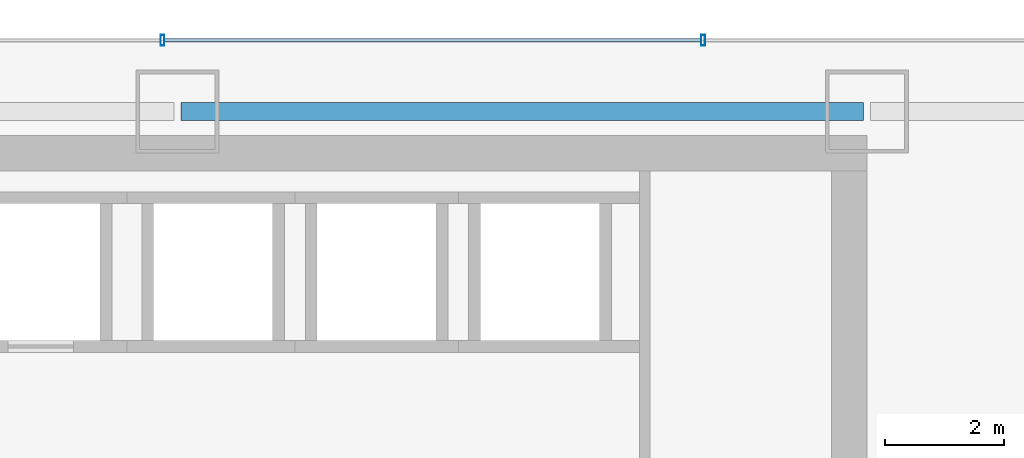
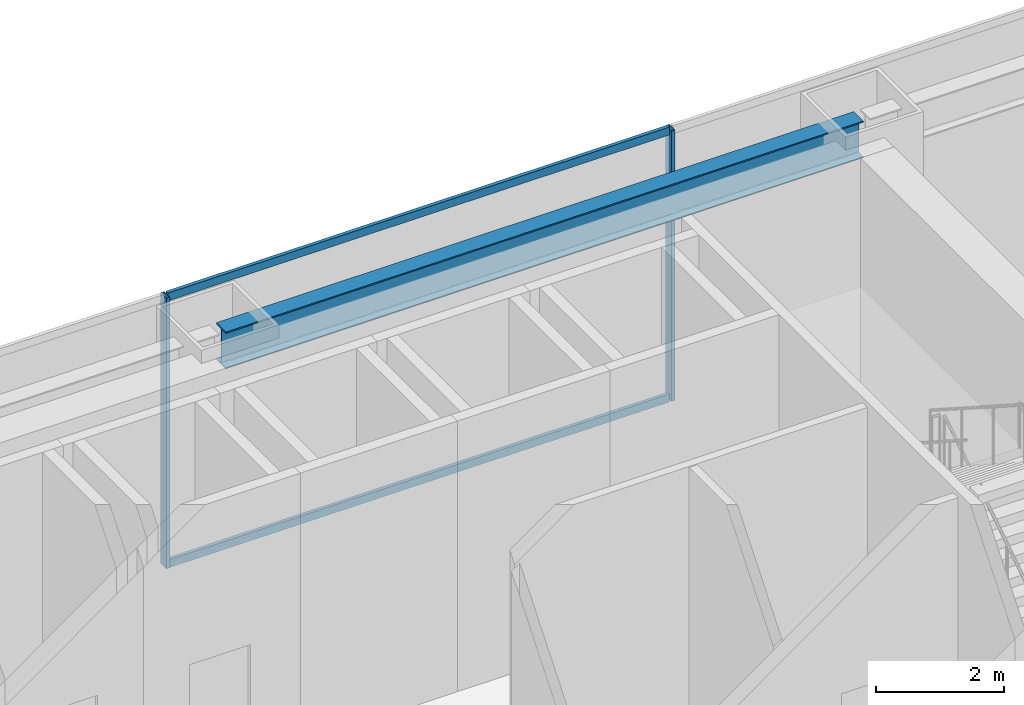
# One storey, part 18 of 29: 4 members, 1 beam, 1 element without a shape of its own.
"""IFC4 building model written with IfcOpenShell, lengths in metres."""

from ifc_helpers import new_model, si_unit, direction, frame, origin, origin_2d, place, context, subcontext, project, spatial, hollow_rectangle, i_section, extrude, material, material_profile, profile_set, type_object, element, aggregate, save


model = new_model("IFC4")

# Units and contexts
model_context = context("Model", 3, precision=1e-05, world=origin(), true_north=direction((0.0, 1.0)))
body_context = subcontext(model_context, "Body", "Model", "MODEL_VIEW")
ifc_project = project(units=[si_unit("LENGTHUNIT", "METRE"), si_unit("AREAUNIT", "SQUARE_METRE"), si_unit("VOLUMEUNIT", "CUBIC_METRE"), si_unit("PLANEANGLEUNIT", "RADIAN"), si_unit("MASSUNIT", "GRAM", prefix="KILO")], contexts=[model_context])

# Site, building, storey
site_placement = place(None, origin())
site = spatial("IfcSite", under=ifc_project, at=site_placement, CompositionType="ELEMENT")
building_placement = place(site_placement, origin())
building = spatial("IfcBuilding", under=site, at=building_placement, Name="Saevonmaru Cultural Tower", CompositionType="ELEMENT")
storey_placement = place(building_placement, frame((0.0, 0.0, 27.60009765625)))
storey = spatial("IfcBuildingStorey", under=building, at=storey_placement, Name="L05", CompositionType="ELEMENT", Elevation=27.60009765625)

# Beam
ifc_material_1 = material(Name="Steel SM355", Category="steel")
ifc_material_profile_1 = material_profile(ifc_material_1, i_section(OverallWidth=0.300048828125, OverallDepth=0.699951171875, WebThickness=0.012939453125, FlangeThickness=0.02392578125, FilletRadius=0.02587890625, at=origin_2d()), Name="H-700x300x13x24")
ifc_profile_set_1 = profile_set([ifc_material_profile_1], Name="Steel SM355")
beam_type = type_object("IfcBeamType", Name="BM-SP-H700", PredefinedType="SPANDREL", material=ifc_profile_set_1)
beam_placement = place(storey_placement, frame((34.860107421875, 54.800048828125, 4.7998046875), z_axis=(1.0, 0.0, 0.0), x_axis=(0.0, 1.0, 0.0)))
element("IfcBeam", 1, at=beam_placement, inside=storey, type_object=beam_type, Name="L05 North Spine Girder 4", PredefinedType="SPANDREL", context=body_context, shape_type="SweptSolid", body=[
    extrude(i_section(OverallWidth=0.300048828125, OverallDepth=0.699951171875, WebThickness=0.012939453125, FlangeThickness=0.02392578125, FilletRadius=0.02587890625, at=origin_2d()), origin(), (0.0, 0.0, 1.0), 11.47998046875),
])

# Curtain wall, members
ifc_material_2 = material(Name="Satin Bronze Anodised Aluminium", Category="aluminium")
curtain_wall_type = type_object("IfcCurtainWallType", Name="CW-SKY-GLZ", PredefinedType="NOTDEFINED", material=ifc_material_2)
curtain_wall_placement = place(storey_placement, origin())
curtain_wall = element("IfcCurtainWall", 2, at=curtain_wall_placement, inside=storey, type_object=curtain_wall_type, Name="L05 Unitised Curtain Wall E10", PredefinedType="NOTDEFINED")
ifc_material_profile_2 = material_profile(ifc_material_2, hollow_rectangle(XDim=0.06494140625, YDim=0.179931640625, WallThickness=0.00390625, at=origin_2d()), Name="ALU-MULL-180x65x4")
ifc_profile_set_2 = profile_set([ifc_material_profile_2], Name="Satin Bronze Anodised Aluminium")
member_type_1 = type_object("IfcMemberType", Name="ML-CW-180x65", PredefinedType="MULLION", material=ifc_profile_set_2)
member_1_placement = place(storey_placement, frame((43.64404296875, 56.0, 0.0), z_axis=(0.0, 0.0, 1.0), x_axis=(-1.0, 0.0, 0.0)))
member_1 = element("IfcMember", 3, at=member_1_placement, type_object=member_type_1, Name="CW-TW-L05-E10 mullion 2", PredefinedType="MULLION", context=body_context, shape_type="SweptSolid", body=[
    extrude(hollow_rectangle(XDim=0.06494140625, YDim=0.179931640625, WallThickness=0.00390625, at=origin_2d()), origin(), (0.0, 0.0, 1.0), 5.14990234375),
])
member_2_placement = place(storey_placement, frame((34.548095703125, 56.0, 0.0), z_axis=(0.0, 0.0, 1.0), x_axis=(-1.0, 0.0, 0.0)))
member_2 = element("IfcMember", 4, at=member_2_placement, type_object=member_type_1, Name="CW-TW-L05-E10 mullion 3", PredefinedType="MULLION", context=body_context, shape_type="SweptSolid", body=[
    extrude(hollow_rectangle(XDim=0.06494140625, YDim=0.179931640625, WallThickness=0.00390625, at=origin_2d()), origin(), (0.0, 0.0, 1.0), 5.14990234375),
])
ifc_material_profile_3 = material_profile(ifc_material_2, hollow_rectangle(XDim=0.06494140625, YDim=0.14990234375, WallThickness=0.00390625, at=origin_2d()), Name="ALU-TRAN-150x65x4")
ifc_profile_set_3 = profile_set([ifc_material_profile_3], Name="Satin Bronze Anodised Aluminium")
member_type_2 = type_object("IfcMemberType", Name="TR-CW-150x65", PredefinedType="USERDEFINED", material=ifc_profile_set_3)
member_3_placement = place(storey_placement, frame((43.611572265625, 56.0, 0.032470703125), z_axis=(-1.0, 0.0, 0.0), x_axis=(0.0, -1.0, 0.0)))
member_3 = element("IfcMember", 5, at=member_3_placement, type_object=member_type_2, Name="CW-TW-L05-E10 transom 2.1", ObjectType="TRANSOM", PredefinedType="USERDEFINED", context=body_context, shape_type="SweptSolid", body=[
    extrude(hollow_rectangle(XDim=0.06494140625, YDim=0.14990234375, WallThickness=0.00390625, at=origin_2d()), origin(), (0.0, 0.0, 1.0), 9.031005859375),
])
member_4_placement = place(storey_placement, frame((43.611572265625, 56.0, 5.117431640625), z_axis=(-1.0, 0.0, 0.0), x_axis=(0.0, -1.0, 0.0)))
member_4 = element("IfcMember", 6, at=member_4_placement, type_object=member_type_2, Name="CW-TW-L05-E10 transom 2.2", ObjectType="TRANSOM", PredefinedType="USERDEFINED", context=body_context, shape_type="SweptSolid", body=[
    extrude(hollow_rectangle(XDim=0.06494140625, YDim=0.14990234375, WallThickness=0.00390625, at=origin_2d()), origin(), (0.0, 0.0, 1.0), 9.031005859375),
])
aggregate(curtain_wall, [member_1, member_2, member_3, member_4])

save(model, "model.ifc")
